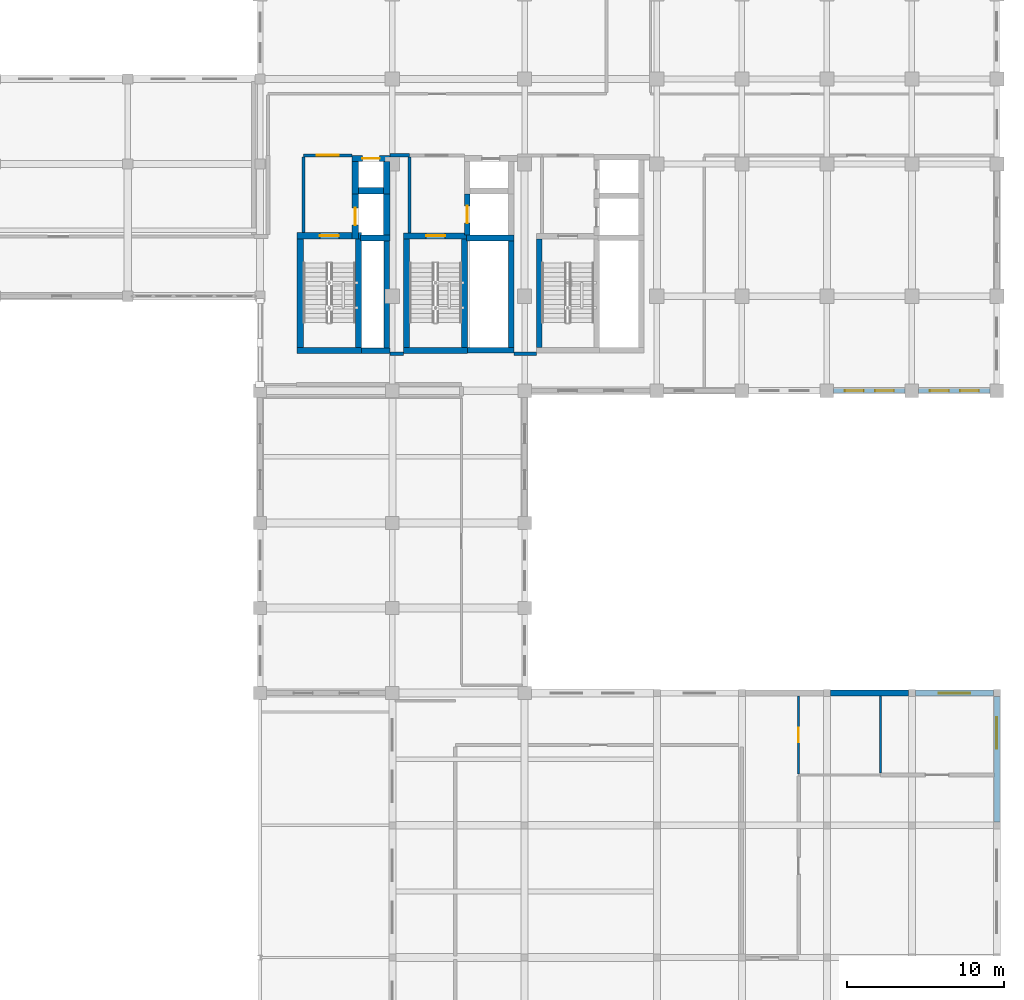
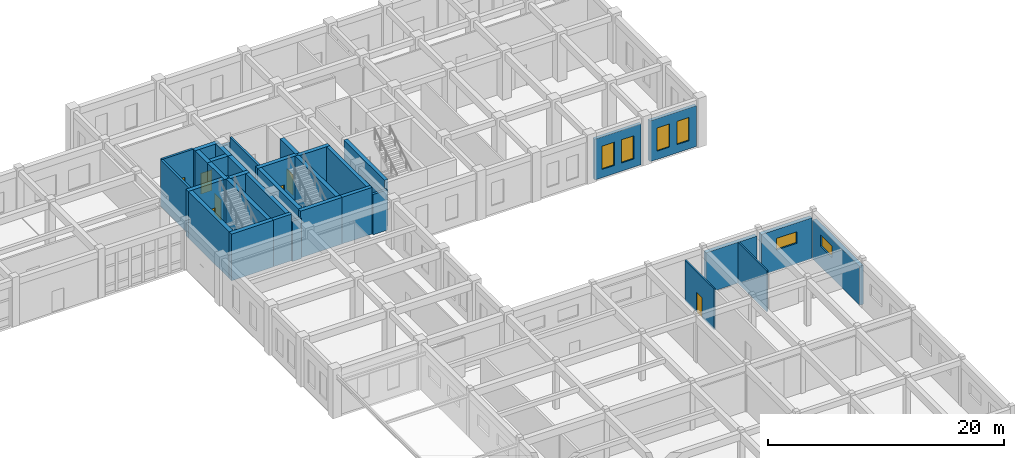
# One storey, part 68 of 80: 35 walls, 7 doors, 6 windows, 13 openings.
"""IFC4 building model written with IfcOpenShell, lengths in metres."""

from ifc_helpers import new_model, si_unit, direction, frame, frame_2d, origin, place, context, subcontext, project, spatial, rectangle, extrude, material, layer, layer_set, type_object, element, fill, save


model = new_model("IFC4")

# Units and contexts
model_context = context("Model", 3, precision=1e-05, world=origin(), true_north=direction((0.0, 1.0)))
body_context = subcontext(model_context, "Body", "Model", "MODEL_VIEW")
ifc_project = project(units=[si_unit("LENGTHUNIT", "METRE"), si_unit("AREAUNIT", "SQUARE_METRE"), si_unit("VOLUMEUNIT", "CUBIC_METRE"), si_unit("PLANEANGLEUNIT", "RADIAN"), si_unit("MASSUNIT", "GRAM", prefix="KILO")], contexts=[model_context])

# Site, building, storey
site_placement = place(None, origin())
site = spatial("IfcSite", under=ifc_project, at=site_placement, CompositionType="ELEMENT")
building_placement = place(site_placement, origin())
building = spatial("IfcBuilding", under=site, at=building_placement, Name="Krzemoval Escarpment Law Courts", CompositionType="ELEMENT")
storey_placement = place(building_placement, origin())
storey = spatial("IfcBuildingStorey", under=building, at=storey_placement, Name="L00", CompositionType="ELEMENT", Elevation=0.0)

# Wall, openings, windows
ifc_material_1 = material(Name="Precast concrete C40/50", Category="concrete")
ifc_layer_1 = layer(ifc_material_1, 0.300048828125)
ifc_layer_set_1 = layer_set([ifc_layer_1], Name="Precast concrete C40/50")
wall_type_1 = type_object("IfcWallType", Name="WL-EXT-300", PredefinedType="SOLIDWALL", material=ifc_layer_set_1)
wall_1_placement = place(storey_placement, frame((172.375, 93.60009765625, 0.0), z_axis=(0.0, 0.0, 1.0), x_axis=(-1.0, 0.0, 0.0)))
wall_1 = element("IfcWall", 1, at=wall_1_placement, inside=storey, type_object=wall_type_1, Name="Exterior Wall EW-L00-0101", PredefinedType="SOLIDWALL", context=body_context, shape_type="SweptSolid", body=[
    extrude(rectangle(XDim=4.550048828125, YDim=0.300048828125, at=frame_2d((2.27490234375, 0.0))), origin(), (0.0, 0.0, 1.0), 4.219970703125),
])
opening_1_placement = place(wall_1_placement, frame((0.717041015625, 0.0, 0.85009765625)))
opening_1 = element("IfcOpeningElement", 2, at=opening_1_placement, cuts=wall_1, Name="Opening WN-L00-0041", PredefinedType="OPENING", context=body_context, shape_type="SweptSolid", body=[
    extrude(rectangle(XDim=1.199951171875, YDim=2.39990234375, at=frame_2d((0.60009765625, 1.199951171875))), frame((0.0, 0.16502, 0.0), z_axis=(0.0, -1.0, 0.0), x_axis=(1.0, 0.0, 0.0)), (0.0, 0.0, 1.0), 0.33005),
])
opening_2_placement = place(wall_1_placement, frame((2.633056640625, 0.0, 0.85009765625)))
opening_2 = element("IfcOpeningElement", 3, at=opening_2_placement, cuts=wall_1, Name="Opening WN-L00-0042", PredefinedType="OPENING", context=body_context, shape_type="SweptSolid", body=[
    extrude(rectangle(XDim=1.199951171875, YDim=2.39990234375, at=frame_2d((0.60009765625, 1.199951171875))), frame((0.0, 0.16502, 0.0), z_axis=(0.0, -1.0, 0.0), x_axis=(1.0, 0.0, 0.0)), (0.0, 0.0, 1.0), 0.33005),
])
ifc_material_2 = material(Name="Thermally Broken Aluminium Frame with Triple Low-E Acoustic Glass", Category="aluminium")
window_type_1 = type_object("IfcWindowType", Name="WN-1200x2400", PartitioningType="SINGLE_PANEL", PredefinedType="WINDOW", material=ifc_material_2)
window_1_placement = place(opening_1_placement, origin())
window_1 = element("IfcWindow", 4, at=window_1_placement, inside=storey, type_object=window_type_1, Name="Facade Window WN-L00-0041", OverallHeight=2.39990234375, OverallWidth=1.199951171875, PartitioningType="SINGLE_PANEL", PredefinedType="WINDOW", context=body_context, shape_type="SweptSolid", body=[
    extrude(rectangle(XDim=1.199951171875, YDim=2.39990234375, at=frame_2d((0.60009765625, 1.199951171875))), frame((0.0, 0.030029296875, 0.0), z_axis=(0.0, -1.0, 0.0), x_axis=(1.0, 0.0, 0.0)), (0.0, 0.0, 1.0), 0.06005859375),
])
fill(opening_1, window_1)
window_2_placement = place(opening_2_placement, origin())
window_2 = element("IfcWindow", 5, at=window_2_placement, inside=storey, type_object=window_type_1, Name="Facade Window WN-L00-0042", OverallHeight=2.39990234375, OverallWidth=1.199951171875, PartitioningType="SINGLE_PANEL", PredefinedType="WINDOW", context=body_context, shape_type="SweptSolid", body=[
    extrude(rectangle(XDim=1.199951171875, YDim=2.39990234375, at=frame_2d((0.60009765625, 1.199951171875))), frame((0.0, 0.030029296875, 0.0), z_axis=(0.0, -1.0, 0.0), x_axis=(1.0, 0.0, 0.0)), (0.0, 0.0, 1.0), 0.06005859375),
])
fill(opening_2, window_2)

wall_2_placement = place(storey_placement, frame((166.97509765625, 93.60009765625, 0.0), z_axis=(0.0, 0.0, 1.0), x_axis=(-1.0, 0.0, 0.0)))
wall_2 = element("IfcWall", 6, at=wall_2_placement, inside=storey, type_object=wall_type_1, Name="Exterior Wall EW-L00-0102", PredefinedType="SOLIDWALL", context=body_context, shape_type="SweptSolid", body=[
    extrude(rectangle(XDim=4.550048828125, YDim=0.300048828125, at=frame_2d((2.27490234375, 0.0))), origin(), (0.0, 0.0, 1.0), 4.219970703125),
])
opening_3_placement = place(wall_2_placement, frame((0.717041015625, 0.0, 0.85009765625)))
opening_3 = element("IfcOpeningElement", 7, at=opening_3_placement, cuts=wall_2, Name="Opening WN-L00-0043", PredefinedType="OPENING", context=body_context, shape_type="SweptSolid", body=[
    extrude(rectangle(XDim=1.199951171875, YDim=2.39990234375, at=frame_2d((0.60009765625, 1.199951171875))), frame((0.0, 0.16502, 0.0), z_axis=(0.0, -1.0, 0.0), x_axis=(1.0, 0.0, 0.0)), (0.0, 0.0, 1.0), 0.33005),
])
opening_4_placement = place(wall_2_placement, frame((2.633056640625, 0.0, 0.85009765625)))
opening_4 = element("IfcOpeningElement", 8, at=opening_4_placement, cuts=wall_2, Name="Opening WN-L00-0044", PredefinedType="OPENING", context=body_context, shape_type="SweptSolid", body=[
    extrude(rectangle(XDim=1.199951171875, YDim=2.39990234375, at=frame_2d((0.60009765625, 1.199951171875))), frame((0.0, 0.16502, 0.0), z_axis=(0.0, -1.0, 0.0), x_axis=(1.0, 0.0, 0.0)), (0.0, 0.0, 1.0), 0.33005),
])
window_3_placement = place(opening_3_placement, origin())
window_3 = element("IfcWindow", 9, at=window_3_placement, inside=storey, type_object=window_type_1, Name="Facade Window WN-L00-0043", OverallHeight=2.39990234375, OverallWidth=1.199951171875, PartitioningType="SINGLE_PANEL", PredefinedType="WINDOW", context=body_context, shape_type="SweptSolid", body=[
    extrude(rectangle(XDim=1.199951171875, YDim=2.39990234375, at=frame_2d((0.60009765625, 1.199951171875))), frame((0.0, 0.030029296875, 0.0), z_axis=(0.0, -1.0, 0.0), x_axis=(1.0, 0.0, 0.0)), (0.0, 0.0, 1.0), 0.06005859375),
])
fill(opening_3, window_3)
window_4_placement = place(opening_4_placement, origin())
window_4 = element("IfcWindow", 10, at=window_4_placement, inside=storey, type_object=window_type_1, Name="Facade Window WN-L00-0044", OverallHeight=2.39990234375, OverallWidth=1.199951171875, PartitioningType="SINGLE_PANEL", PredefinedType="WINDOW", context=body_context, shape_type="SweptSolid", body=[
    extrude(rectangle(XDim=1.199951171875, YDim=2.39990234375, at=frame_2d((0.60009765625, 1.199951171875))), frame((0.0, 0.030029296875, 0.0), z_axis=(0.0, -1.0, 0.0), x_axis=(1.0, 0.0, 0.0)), (0.0, 0.0, 1.0), 0.06005859375),
])
fill(opening_4, window_4)

# Wall
ifc_material_3 = material(Name="Concrete C40/50", Category="concrete")
ifc_layer_2 = layer(ifc_material_3, 0.3798828125)
ifc_layer_set_2 = layer_set([ifc_layer_2], Name="Concrete C40/50")
wall_type_2 = type_object("IfcWallType", Name="WL-EXT-380", PredefinedType="SOLIDWALL", material=ifc_layer_set_2)
wall_3_placement = place(storey_placement, frame((162.22509765625, 74.39990234375, 0.0), z_axis=(0.0, 0.0, 1.0), x_axis=(1.0, 0.0, 0.0)))
element("IfcWall", 11, at=wall_3_placement, inside=storey, type_object=wall_type_2, Name="Exterior Wall EW-L00-0112", PredefinedType="SOLIDWALL", context=body_context, shape_type="SweptSolid", body=[
    extrude(rectangle(XDim=4.949951171875, YDim=0.3798828125, at=frame_2d((2.47509765625, 0.0))), origin(), (0.0, 0.0, 1.0), 4.219970703125),
])

# Wall, opening, window
wall_4_placement = place(storey_placement, frame((167.625, 74.39990234375, 0.0), z_axis=(0.0, 0.0, 1.0), x_axis=(1.0, 0.0, 0.0)))
wall_4 = element("IfcWall", 12, at=wall_4_placement, inside=storey, type_object=wall_type_2, Name="Exterior Wall EW-L00-0113", PredefinedType="SOLIDWALL", context=body_context, shape_type="SweptSolid", body=[
    extrude(rectangle(XDim=4.949951171875, YDim=0.3798828125, at=frame_2d((2.47509765625, 0.0))), origin(), (0.0, 0.0, 1.0), 4.219970703125),
])
opening_5_placement = place(wall_4_placement, frame((1.47509765625, 0.0, 2.10009765625)))
opening_5 = element("IfcOpeningElement", 13, at=opening_5_placement, cuts=wall_4, Name="Opening WN-L00-0059", PredefinedType="OPENING", context=body_context, shape_type="SweptSolid", body=[
    extrude(rectangle(XDim=2.0, YDim=1.199951171875, at=frame_2d((1.0, 0.60009765625))), frame((0.0, 0.20494, 0.0), z_axis=(0.0, -1.0, 0.0), x_axis=(1.0, 0.0, 0.0)), (0.0, 0.0, 1.0), 0.40988),
])
ifc_material_4 = material(Name="Thermally Broken Aluminium Frame with Triple Low-E Acoustic Glass", Category="aluminium")
window_type_2 = type_object("IfcWindowType", Name="WN-2000x1200", PartitioningType="SINGLE_PANEL", PredefinedType="WINDOW", material=ifc_material_4)
window_5_placement = place(opening_5_placement, origin())
window_5 = element("IfcWindow", 14, at=window_5_placement, inside=storey, type_object=window_type_2, Name="Facade Window WN-L00-0059", OverallHeight=1.199951171875, OverallWidth=2.0, PartitioningType="SINGLE_PANEL", PredefinedType="WINDOW", context=body_context, shape_type="SweptSolid", body=[
    extrude(rectangle(XDim=2.0, YDim=1.199951171875, at=frame_2d((1.0, 0.60009765625))), frame((0.0, 0.030029296875, 0.0), z_axis=(0.0, -1.0, 0.0), x_axis=(1.0, 0.0, 0.0)), (0.0, 0.0, 1.0), 0.06005859375),
])
fill(opening_5, window_5)

wall_5_placement = place(storey_placement, frame((172.800048828125, 74.175048828125, 0.0), z_axis=(0.0, 0.0, 1.0), x_axis=(0.0, -1.0, 0.0)))
wall_5 = element("IfcWall", 15, at=wall_5_placement, inside=storey, type_object=wall_type_2, Name="Exterior Wall EW-L00-0114", PredefinedType="SOLIDWALL", context=body_context, shape_type="SweptSolid", body=[
    extrude(rectangle(XDim=7.949951171875, YDim=0.3798828125, at=frame_2d((3.97509765625, 0.0))), origin(), (0.0, 0.0, 1.0), 4.02001953125),
])
opening_6_placement = place(wall_5_placement, frame((1.31689453125, 0.0, 2.10009765625)))
opening_6 = element("IfcOpeningElement", 16, at=opening_6_placement, cuts=wall_5, Name="Opening WN-L00-0060", PredefinedType="OPENING", context=body_context, shape_type="SweptSolid", body=[
    extrude(rectangle(XDim=2.0, YDim=1.199951171875, at=frame_2d((1.0, 0.60009765625))), frame((0.0, 0.20494, 0.0), z_axis=(0.0, -1.0, 0.0), x_axis=(1.0, 0.0, 0.0)), (0.0, 0.0, 1.0), 0.40988),
])
window_6_placement = place(opening_6_placement, origin())
window_6 = element("IfcWindow", 17, at=window_6_placement, inside=storey, type_object=window_type_2, Name="Facade Window WN-L00-0060", OverallHeight=1.199951171875, OverallWidth=2.0, PartitioningType="SINGLE_PANEL", PredefinedType="WINDOW", context=body_context, shape_type="SweptSolid", body=[
    extrude(rectangle(XDim=2.0, YDim=1.199951171875, at=frame_2d((1.0, 0.60009765625))), frame((0.0, 0.030029296875, 0.0), z_axis=(0.0, -1.0, 0.0), x_axis=(1.0, 0.0, 0.0)), (0.0, 0.0, 1.0), 0.06005859375),
])
fill(opening_6, window_6)

# Wall, opening, door
ifc_material_5 = material(Name="Sanitary Moisture-Resistant Partition", Category="gypsum")
ifc_layer_3 = layer(ifc_material_5, 0.139892578125)
ifc_layer_set_3 = layer_set([ifc_layer_3], Name="Sanitary Moisture-Resistant Partition")
wall_type_3 = type_object("IfcWallType", Name="WL-PRT-140", PredefinedType="PARTITIONING", material=ifc_layer_set_3)
wall_6_placement = place(storey_placement, frame((160.199951171875, 69.27197265625, 0.0), z_axis=(0.0, 0.0, 1.0), x_axis=(0.0, 1.0, 0.0)))
wall_6 = element("IfcWall", 18, at=wall_6_placement, inside=storey, type_object=wall_type_3, Name="Interior Partition PW-L00-0222", PredefinedType="PARTITIONING", context=body_context, shape_type="SweptSolid", body=[
    extrude(rectangle(XDim=4.93603515625, YDim=0.139892578125, at=frame_2d((2.468017578125, 0.0))), origin(), (0.0, 0.0, 1.0), 4.219970703125),
])
opening_7_placement = place(wall_6_placement, frame((2.01806640625, 0.0, 0.0)))
opening_7 = element("IfcOpeningElement", 19, at=opening_7_placement, cuts=wall_6, Name="Opening D-L00-0074", PredefinedType="OPENING", context=body_context, shape_type="SweptSolid", body=[
    extrude(rectangle(XDim=0.89990234375, YDim=2.10009765625, at=frame_2d((0.449951171875, 1.050048828125))), frame((0.0, 0.08495, 0.0), z_axis=(0.0, -1.0, 0.0), x_axis=(1.0, 0.0, 0.0)), (0.0, 0.0, 1.0), 0.16989),
])
ifc_material_6 = material(Name="Engineered Solid-Core Oak Acoustic Timber", Category="wood")
door_type_1 = type_object("IfcDoorType", Name="DR-INT-900x2100", OperationType="SINGLE_SWING_LEFT", PredefinedType="DOOR", material=ifc_material_6)
door_1_placement = place(opening_7_placement, origin())
door_1 = element("IfcDoor", 20, at=door_1_placement, inside=storey, type_object=door_type_1, Name="Room Door D-L00-0074", OperationType="SINGLE_SWING_LEFT", OverallHeight=2.10009765625, OverallWidth=0.89990234375, PredefinedType="DOOR", context=body_context, shape_type="SweptSolid", body=[
    extrude(rectangle(XDim=0.89990234375, YDim=2.10009765625, at=frame_2d((0.449951171875, 1.050048828125))), frame((0.0, 0.02490234375, 0.0), z_axis=(0.0, -1.0, 0.0), x_axis=(1.0, 0.0, 0.0)), (0.0, 0.0, 1.0), 0.050048828125),
])
fill(opening_7, door_1)

# Wall
wall_7_placement = place(storey_placement, frame((165.39990234375, 69.322021484375, 0.0), z_axis=(0.0, 0.0, 1.0), x_axis=(0.0, 1.0, 0.0)))
element("IfcWall", 21, at=wall_7_placement, inside=storey, type_object=wall_type_3, Name="Interior Partition PW-L00-0223", PredefinedType="PARTITIONING", context=body_context, shape_type="SweptSolid", body=[
    extrude(rectangle(XDim=4.885986328125, YDim=0.139892578125, at=frame_2d((2.44287109375, 0.0))), origin(), (0.0, 0.0, 1.0), 4.219970703125),
])

# Wall, opening, door
ifc_material_7 = material(Name="Fire-Rated Corridor Partition Wall", Category="gypsum")
ifc_layer_4 = layer(ifc_material_7, 0.199951171875)
ifc_layer_set_4 = layer_set([ifc_layer_4], Name="Fire-Rated Corridor Partition Wall")
wall_type_4 = type_object("IfcWallType", Name="WL-PRT-200", PredefinedType="PARTITIONING", material=ifc_layer_set_4)
wall_8_placement = place(storey_placement, frame((128.75, 108.550048828125, 0.0), z_axis=(0.0, 0.0, 1.0), x_axis=(1.0, 0.0, 0.0)))
wall_8 = element("IfcWall", 22, at=wall_8_placement, inside=storey, type_object=wall_type_4, Name="Interior Partition PW-L00-0146", PredefinedType="PARTITIONING", context=body_context, shape_type="SweptSolid", body=[
    extrude(rectangle(XDim=3.10009765625, YDim=0.199951171875, at=frame_2d((1.550048828125, 0.0))), origin(), (0.0, 0.0, 1.0), 4.820068359375),
])
opening_8_placement = place(wall_8_placement, frame((0.85009765625, 0.0, 0.0)))
opening_8 = element("IfcOpeningElement", 23, at=opening_8_placement, cuts=wall_8, Name="Opening D-L00-0035", PredefinedType="OPENING", context=body_context, shape_type="SweptSolid", body=[
    extrude(rectangle(XDim=1.39990234375, YDim=2.199951171875, at=frame_2d((0.699951171875, 1.10009765625))), frame((0.0, 0.11498, 0.0), z_axis=(0.0, -1.0, 0.0), x_axis=(1.0, 0.0, 0.0)), (0.0, 0.0, 1.0), 0.22995),
])
ifc_material_8 = material(Name="Galvanised Steel S355", Category="steel")
door_type_2 = type_object("IfcDoorType", Name="DR-FFL-1400x2200", OperationType="SINGLE_SWING_LEFT", PredefinedType="DOOR", material=ifc_material_8)
door_2_placement = place(opening_8_placement, origin())
door_2 = element("IfcDoor", 24, at=door_2_placement, inside=storey, type_object=door_type_2, Name="Room Door D-L00-0035", OperationType="SINGLE_SWING_LEFT", OverallHeight=2.199951171875, OverallWidth=1.39990234375, PredefinedType="DOOR", context=body_context, shape_type="SweptSolid", body=[
    extrude(rectangle(XDim=1.39990234375, YDim=2.199951171875, at=frame_2d((0.699951171875, 1.10009765625))), frame((0.0, 0.02490234375, 0.0), z_axis=(0.0, -1.0, 0.0), x_axis=(1.0, 0.0, 0.0)), (0.0, 0.0, 1.0), 0.050048828125),
])
fill(opening_8, door_2)

# Walls
wall_9_placement = place(storey_placement, frame((128.75, 103.652099609375, 0.0), z_axis=(0.0, 0.0, 1.0), x_axis=(0.0, 1.0, 0.0)))
element("IfcWall", 25, at=wall_9_placement, inside=storey, type_object=wall_type_4, Name="Interior Partition PW-L00-0207", PredefinedType="PARTITIONING", context=body_context, shape_type="SweptSolid", body=[
    extrude(rectangle(XDim=4.7958984375, YDim=0.199951171875, at=frame_2d((2.39794921875, 0.0))), origin(), (0.0, 0.0, 1.0), 4.820068359375),
])
wall_10_placement = place(storey_placement, frame((135.5, 103.632080078125, 0.0), z_axis=(0.0, 0.0, 1.0), x_axis=(0.0, 1.0, 0.0)))
element("IfcWall", 26, at=wall_10_placement, inside=storey, type_object=wall_type_4, Name="Interior Partition PW-L00-0209", PredefinedType="PARTITIONING", context=body_context, shape_type="SweptSolid", body=[
    extrude(rectangle(XDim=4.805908203125, YDim=0.199951171875, at=frame_2d((2.40283203125, 0.0))), origin(), (0.0, 0.0, 1.0), 4.820068359375),
])
ifc_material_9 = material(Name="Solid Calcium-Silicate Custody Blockwork Partition", Category="masonry")
ifc_layer_5 = layer(ifc_material_9, 0.219970703125)
ifc_layer_set_5 = layer_set([ifc_layer_5], Name="Solid Calcium-Silicate Custody Blockwork Partition")
wall_type_5 = type_object("IfcWallType", Name="WL-PRT-220", PredefinedType="PARTITIONING", material=ifc_layer_set_5)
wall_11_placement = place(storey_placement, frame((134.25, 108.550048828125, 0.0), z_axis=(0.0, 0.0, 1.0), x_axis=(1.0, 0.0, 0.0)))
element("IfcWall", 27, at=wall_11_placement, inside=storey, type_object=wall_type_5, Name="Interior Partition PW-L00-0149", PredefinedType="PARTITIONING", context=body_context, shape_type="SweptSolid", body=[
    extrude(rectangle(XDim=1.25, YDim=0.219970703125, at=frame_2d((0.625, 0.0))), origin(), (0.0, 0.0, 1.0), 4.169921875),
])
ifc_material_10 = material(Name="Acoustic Courtroom Partition Assembly", Category="gypsum")
ifc_layer_6 = layer(ifc_material_10, 0.239990234375)
ifc_layer_set_6 = layer_set([ifc_layer_6], Name="Acoustic Courtroom Partition Assembly")
wall_type_6 = type_object("IfcWallType", Name="WL-PRT-240", PredefinedType="PARTITIONING", material=ifc_layer_set_6)
wall_12_placement = place(storey_placement, frame((134.25, 95.949951171875, 0.0), z_axis=(0.0, 0.0, 1.0), x_axis=(1.0, 0.0, 0.0)))
element("IfcWall", 28, at=wall_12_placement, inside=storey, type_object=wall_type_6, Name="Interior Partition PW-L00-0138", PredefinedType="PARTITIONING", context=body_context, shape_type="SweptSolid", body=[
    extrude(rectangle(XDim=0.8701171875, YDim=0.239990234375, at=frame_2d((0.43505859375, 0.0))), origin(), (0.0, 0.0, 1.0), 4.169921875),
])
wall_13_placement = place(storey_placement, frame((142.1298828125, 95.949951171875, 0.0), z_axis=(0.0, 0.0, 1.0), x_axis=(1.0, 0.0, 0.0)))
element("IfcWall", 29, at=wall_13_placement, inside=storey, type_object=wall_type_6, Name="Interior Partition PW-L00-0139", PredefinedType="PARTITIONING", context=body_context, shape_type="SweptSolid", body=[
    extrude(rectangle(XDim=1.420166015625, YDim=0.239990234375, at=frame_2d((0.7099609375, 0.0))), origin(), (0.0, 0.0, 1.0), 4.169921875),
])
ifc_material_11 = material(Name="Concrete C40/50", Category="concrete")
ifc_layer_7 = layer(ifc_material_11, 0.35009765625)
ifc_layer_set_7 = layer_set([ifc_layer_7], Name="Concrete C40/50")
wall_type_7 = type_object("IfcWallType", Name="WL-SHW-350", PredefinedType="SHEAR", material=ifc_layer_set_7)
wall_14_placement = place(storey_placement, frame((132.449951171875, 96.14990234375, 0.0), z_axis=(0.0, 0.0, 1.0), x_axis=(1.0, 0.0, 0.0)))
element("IfcWall", 30, at=wall_14_placement, inside=storey, type_object=wall_type_7, Name="Riser Shaft Wall SW-L00-0025", PredefinedType="SHEAR", context=body_context, shape_type="SweptSolid", body=[
    extrude(rectangle(XDim=1.800048828125, YDim=0.35009765625, at=frame_2d((0.89990234375, 0.0))), origin(), (0.0, 0.0, 1.0), 4.820068359375),
])
wall_15_placement = place(storey_placement, frame((134.050048828125, 96.320068359375, 0.0), z_axis=(0.0, 0.0, 1.0), x_axis=(0.0, 1.0, 0.0)))
element("IfcWall", 31, at=wall_15_placement, inside=storey, type_object=wall_type_7, Name="Riser Shaft Wall SW-L00-0026", PredefinedType="SHEAR", context=body_context, shape_type="SweptSolid", body=[
    extrude(rectangle(XDim=7.18701171875, YDim=0.35009765625, at=frame_2d((3.593505859375, 0.0))), origin(), (0.0, 0.0, 1.0), 4.820068359375),
])
wall_16_placement = place(storey_placement, frame((139.179931640625, 96.159912109375, 0.0), z_axis=(0.0, 0.0, 1.0), x_axis=(1.0, 0.0, 0.0)))
element("IfcWall", 32, at=wall_16_placement, inside=storey, type_object=wall_type_7, Name="Riser Shaft Wall SW-L00-0175", PredefinedType="SHEAR", context=body_context, shape_type="SweptSolid", body=[
    extrude(rectangle(XDim=2.949951171875, YDim=0.35009765625, at=frame_2d((1.47509765625, 0.0))), origin(), (0.0, 0.0, 1.0), 4.820068359375),
])
wall_17_placement = place(storey_placement, frame((141.93994140625, 96.330078125, 0.0), z_axis=(0.0, 0.0, 1.0), x_axis=(0.0, 1.0, 0.0)))
element("IfcWall", 33, at=wall_17_placement, inside=storey, type_object=wall_type_7, Name="Riser Shaft Wall SW-L00-0176", PredefinedType="SHEAR", context=body_context, shape_type="SweptSolid", body=[
    extrude(rectangle(XDim=7.177001953125, YDim=0.35009765625, at=frame_2d((3.58837890625, 0.0))), origin(), (0.0, 0.0, 1.0), 4.820068359375),
])
wall_18_placement = place(storey_placement, frame((143.72509765625, 96.35205078125, 0.0), z_axis=(0.0, 0.0, 1.0), x_axis=(0.0, 1.0, 0.0)))
element("IfcWall", 34, at=wall_18_placement, inside=storey, type_object=wall_type_7, Name="Core Stair Shear Wall SW-L00-0316", PredefinedType="SHEAR", context=body_context, shape_type="SweptSolid", body=[
    extrude(rectangle(XDim=6.89599609375, YDim=0.35009765625, at=frame_2d((3.447998046875, 0.0))), origin(), (0.0, 0.0, 1.0), 4.820068359375),
])

# Wall, opening, door
ifc_material_12 = material(Name="Concrete C40/50", Category="concrete")
ifc_layer_8 = layer(ifc_material_12, 0.3798828125)
ifc_layer_set_8 = layer_set([ifc_layer_8], Name="Concrete C40/50")
wall_type_8 = type_object("IfcWallType", Name="WL-SHW-380", PredefinedType="SHEAR", material=ifc_layer_set_8)
wall_19_placement = place(storey_placement, frame((135.1201171875, 103.43994140625, 0.0), z_axis=(0.0, 0.0, 1.0), x_axis=(1.0, 0.0, 0.0)))
wall_19 = element("IfcWall", 35, at=wall_19_placement, inside=storey, type_object=wall_type_8, Name="Core Stair Shear Wall SW-L00-0164", PredefinedType="SHEAR", context=body_context, shape_type="SweptSolid", body=[
    extrude(rectangle(XDim=4.059814453125, YDim=0.3798828125, at=frame_2d((2.02978515625, 0.0))), origin(), (0.0, 0.0, 1.0), 4.820068359375),
])
opening_9_placement = place(wall_19_placement, frame((1.429931640625, 0.0, 0.0)))
opening_9 = element("IfcOpeningElement", 36, at=opening_9_placement, cuts=wall_19, Name="Opening SD-ST2-L00", PredefinedType="OPENING", context=body_context, shape_type="SweptSolid", body=[
    extrude(rectangle(XDim=1.199951171875, YDim=2.199951171875, at=frame_2d((0.60009765625, 1.10009765625))), frame((0.0, 0.20494, 0.0), z_axis=(0.0, -1.0, 0.0), x_axis=(1.0, 0.0, 0.0)), (0.0, 0.0, 1.0), 0.40988),
])
ifc_material_13 = material(Name="Galvanised Steel S355", Category="steel")
door_type_3 = type_object("IfcDoorType", Name="DR-STR-1200x2200", OperationType="SINGLE_SWING_LEFT", PredefinedType="DOOR", material=ifc_material_13)
door_3_placement = place(opening_9_placement, origin())
door_3 = element("IfcDoor", 37, at=door_3_placement, inside=storey, type_object=door_type_3, Name="Stair Exit Door SD-ST2-L00", OperationType="SINGLE_SWING_RIGHT", OverallHeight=2.199951171875, OverallWidth=1.199951171875, PredefinedType="DOOR", context=body_context, shape_type="SweptSolid", body=[
    extrude(rectangle(XDim=1.199951171875, YDim=2.199951171875, at=frame_2d((0.60009765625, 1.10009765625))), frame((0.0, 0.02490234375, 0.0), z_axis=(0.0, -1.0, 0.0), x_axis=(1.0, 0.0, 0.0)), (0.0, 0.0, 1.0), 0.050048828125),
])
fill(opening_9, door_3)

# Walls
wall_20_placement = place(storey_placement, frame((135.1201171875, 96.159912109375, 0.0), z_axis=(0.0, 0.0, 1.0), x_axis=(1.0, 0.0, 0.0)))
element("IfcWall", 38, at=wall_20_placement, inside=storey, type_object=wall_type_8, Name="Core Stair Shear Wall SW-L00-0165", PredefinedType="SHEAR", context=body_context, shape_type="SweptSolid", body=[
    extrude(rectangle(XDim=4.059814453125, YDim=0.3798828125, at=frame_2d((2.02978515625, 0.0))), origin(), (0.0, 0.0, 1.0), 4.820068359375),
])
for number, where, z_axis, x_axis, name in (
    (39, (135.31005859375, 96.35205078125, 0.0), (0.0, 0.0, 1.0), (0.0, 1.0, 0.0), "Core Stair Shear Wall SW-L00-0166"),
    (40, (138.989990234375, 96.35205078125, 0.0), (0.0, 0.0, 1.0), (0.0, 1.0, 0.0), "Core Stair Shear Wall SW-L00-0167"),
):
    element("IfcWall", number, at=place(storey_placement, frame(where, z_axis=z_axis, x_axis=x_axis)), inside=storey, type_object=wall_type_8, Name=name, PredefinedType="SHEAR", context=body_context, shape_type="SweptSolid", body=[
        extrude(rectangle(XDim=6.89599609375, YDim=0.3798828125, at=frame_2d((3.447998046875, 0.0))), origin(), (0.0, 0.0, 1.0), 4.820068359375),
    ])
wall_21_placement = place(storey_placement, frame((139.113037109375, 103.31005859375, 0.0), z_axis=(0.0, 0.0, 1.0), x_axis=(1.0, 0.0, 0.0)))
element("IfcWall", 41, at=wall_21_placement, inside=storey, type_object=wall_type_8, Name="Lift Shaft Shear Wall SW-L00-0168", PredefinedType="SHEAR", context=body_context, shape_type="SweptSolid", body=[
    extrude(rectangle(XDim=3.016845703125, YDim=0.3798828125, at=frame_2d((1.50830078125, 0.0))), origin(), (0.0, 0.0, 1.0), 4.820068359375),
])

# Wall, opening, door
wall_22_placement = place(storey_placement, frame((139.159912109375, 103.4951171875, 0.0), z_axis=(0.0, 0.0, 1.0), x_axis=(0.0, 1.0, 0.0)))
wall_22 = element("IfcWall", 42, at=wall_22_placement, inside=storey, type_object=wall_type_8, Name="Lift Shaft Shear Wall SW-L00-0170", PredefinedType="SHEAR", context=body_context, shape_type="SweptSolid", body=[
    extrude(rectangle(XDim=2.602783203125, YDim=0.3798828125, at=frame_2d((1.30126953125, 0.0))), origin(), (0.0, 0.0, 1.0), 4.820068359375),
])
opening_10_placement = place(wall_22_placement, frame((0.7509765625, 0.0, 0.0)))
opening_10 = element("IfcOpeningElement", 43, at=opening_10_placement, cuts=wall_22, Name="Opening LD-FL2-L00", PredefinedType="OPENING", context=body_context, shape_type="SweptSolid", body=[
    extrude(rectangle(XDim=1.10009765625, YDim=2.14990234375, at=frame_2d((0.550048828125, 1.074951171875))), frame((0.0, 0.20494, 0.0), z_axis=(0.0, -1.0, 0.0), x_axis=(1.0, 0.0, 0.0)), (0.0, 0.0, 1.0), 0.40988),
])
ifc_material_14 = material(Name="Stainless Steel Grade 304", Category="steel")
door_type_4 = type_object("IfcDoorType", Name="DR-LFT-1100x2150", OperationType="SINGLE_SWING_LEFT", PredefinedType="DOOR", material=ifc_material_14)
door_4_placement = place(opening_10_placement, origin())
door_4 = element("IfcDoor", 44, at=door_4_placement, inside=storey, type_object=door_type_4, Name="Lift Landing Door LD-FL2-L00", OperationType="DOUBLE_DOOR_SLIDING", OverallHeight=2.14990234375, OverallWidth=1.10009765625, PredefinedType="DOOR", context=body_context, shape_type="SweptSolid", body=[
    extrude(rectangle(XDim=1.10009765625, YDim=2.14990234375, at=frame_2d((0.550048828125, 1.074951171875))), frame((0.0, 0.02490234375, 0.0), z_axis=(0.0, -1.0, 0.0), x_axis=(1.0, 0.0, 0.0)), (0.0, 0.0, 1.0), 0.050048828125),
])
fill(opening_10, door_4)

ifc_material_15 = material(Name="Concrete C40/50", Category="concrete")
ifc_layer_9 = layer(ifc_material_15, 0.39990234375)
ifc_layer_set_9 = layer_set([ifc_layer_9], Name="Concrete C40/50")
wall_type_9 = type_object("IfcWallType", Name="WL-SHW-400", PredefinedType="SHEAR", material=ifc_layer_set_9)
wall_23_placement = place(storey_placement, frame((128.35009765625, 103.449951171875, 0.0), z_axis=(0.0, 0.0, 1.0), x_axis=(1.0, 0.0, 0.0)))
wall_23 = element("IfcWall", 45, at=wall_23_placement, inside=storey, type_object=wall_type_9, Name="Core Stair Shear Wall SW-L00-0014", PredefinedType="SHEAR", context=body_context, shape_type="SweptSolid", body=[
    extrude(rectangle(XDim=4.099853515625, YDim=0.39990234375, at=frame_2d((2.0498046875, 0.0))), origin(), (0.0, 0.0, 1.0), 4.820068359375),
])
opening_11_placement = place(wall_23_placement, frame((1.449951171875, 0.0, 0.0)))
opening_11 = element("IfcOpeningElement", 46, at=opening_11_placement, cuts=wall_23, Name="Opening SD-ST1-L00", PredefinedType="OPENING", context=body_context, shape_type="SweptSolid", body=[
    extrude(rectangle(XDim=1.199951171875, YDim=2.199951171875, at=frame_2d((0.60009765625, 1.10009765625))), frame((0.0, 0.21495, 0.0), z_axis=(0.0, -1.0, 0.0), x_axis=(1.0, 0.0, 0.0)), (0.0, 0.0, 1.0), 0.4299),
])
door_5_placement = place(opening_11_placement, origin())
door_5 = element("IfcDoor", 47, at=door_5_placement, inside=storey, type_object=door_type_3, Name="Stair Exit Door SD-ST1-L00", OperationType="SINGLE_SWING_LEFT", OverallHeight=2.199951171875, OverallWidth=1.199951171875, PredefinedType="DOOR", context=body_context, shape_type="SweptSolid", body=[
    extrude(rectangle(XDim=1.199951171875, YDim=2.199951171875, at=frame_2d((0.60009765625, 1.10009765625))), frame((0.0, 0.02490234375, 0.0), z_axis=(0.0, -1.0, 0.0), x_axis=(1.0, 0.0, 0.0)), (0.0, 0.0, 1.0), 0.050048828125),
])
fill(opening_11, door_5)

# Walls
wall_24_placement = place(storey_placement, frame((128.35009765625, 96.14990234375, 0.0), z_axis=(0.0, 0.0, 1.0), x_axis=(1.0, 0.0, 0.0)))
element("IfcWall", 48, at=wall_24_placement, inside=storey, type_object=wall_type_9, Name="Core Stair Shear Wall SW-L00-0015", PredefinedType="SHEAR", context=body_context, shape_type="SweptSolid", body=[
    extrude(rectangle(XDim=4.099853515625, YDim=0.39990234375, at=frame_2d((2.0498046875, 0.0))), origin(), (0.0, 0.0, 1.0), 4.820068359375),
])
for number, where, z_axis, x_axis, name in (
    (49, (128.550048828125, 96.35205078125, 0.0), (0.0, 0.0, 1.0), (0.0, 1.0, 0.0), "Core Stair Shear Wall SW-L00-0016"),
    (50, (132.25, 96.35205078125, 0.0), (0.0, 0.0, 1.0), (0.0, 1.0, 0.0), "Core Stair Shear Wall SW-L00-0017"),
):
    element("IfcWall", number, at=place(storey_placement, frame(where, z_axis=z_axis, x_axis=x_axis)), inside=storey, type_object=wall_type_9, Name=name, PredefinedType="SHEAR", context=body_context, shape_type="SweptSolid", body=[
        extrude(rectangle(XDim=6.89599609375, YDim=0.39990234375, at=frame_2d((3.447998046875, 0.0))), origin(), (0.0, 0.0, 1.0), 4.820068359375),
    ])
wall_25_placement = place(storey_placement, frame((132.39306640625, 103.300048828125, 0.0), z_axis=(0.0, 0.0, 1.0), x_axis=(1.0, 0.0, 0.0)))
element("IfcWall", 51, at=wall_25_placement, inside=storey, type_object=wall_type_9, Name="Lift Shaft Shear Wall SW-L00-0018", PredefinedType="SHEAR", context=body_context, shape_type="SweptSolid", body=[
    extrude(rectangle(XDim=1.85693359375, YDim=0.39990234375, at=frame_2d((0.928466796875, 0.0))), origin(), (0.0, 0.0, 1.0), 4.820068359375),
])
wall_26_placement = place(storey_placement, frame((131.85009765625, 106.300048828125, 0.0), z_axis=(0.0, 0.0, 1.0), x_axis=(1.0, 0.0, 0.0)))
element("IfcWall", 52, at=wall_26_placement, inside=storey, type_object=wall_type_9, Name="Lift Shaft Shear Wall SW-L00-0019", PredefinedType="SHEAR", context=body_context, shape_type="SweptSolid", body=[
    extrude(rectangle(XDim=2.39990234375, YDim=0.39990234375, at=frame_2d((1.199951171875, 0.0))), origin(), (0.0, 0.0, 1.0), 4.820068359375),
])

# Wall, opening, door
wall_27_placement = place(storey_placement, frame((132.050048828125, 103.242919921875, 0.0), z_axis=(0.0, 0.0, 1.0), x_axis=(0.0, 1.0, 0.0)))
wall_27 = element("IfcWall", 53, at=wall_27_placement, inside=storey, type_object=wall_type_9, Name="Lift Shaft Shear Wall SW-L00-0020", PredefinedType="SHEAR", context=body_context, shape_type="SweptSolid", body=[
    extrude(rectangle(XDim=2.85498046875, YDim=0.39990234375, at=frame_2d((1.427490234375, 0.0))), origin(), (0.0, 0.0, 1.0), 4.820068359375),
])
opening_12_placement = place(wall_27_placement, frame((0.8779296875, 0.0, 0.0)))
opening_12 = element("IfcOpeningElement", 54, at=opening_12_placement, cuts=wall_27, Name="Opening LD-FL1-L00", PredefinedType="OPENING", context=body_context, shape_type="SweptSolid", body=[
    extrude(rectangle(XDim=1.10009765625, YDim=2.14990234375, at=frame_2d((0.550048828125, 1.074951171875))), frame((0.0, 0.21495, 0.0), z_axis=(0.0, -1.0, 0.0), x_axis=(1.0, 0.0, 0.0)), (0.0, 0.0, 1.0), 0.4299),
])
door_6_placement = place(opening_12_placement, origin())
door_6 = element("IfcDoor", 55, at=door_6_placement, inside=storey, type_object=door_type_4, Name="Lift Landing Door LD-FL1-L00", OperationType="DOUBLE_DOOR_SLIDING", OverallHeight=2.14990234375, OverallWidth=1.10009765625, PredefinedType="DOOR", context=body_context, shape_type="SweptSolid", body=[
    extrude(rectangle(XDim=1.10009765625, YDim=2.14990234375, at=frame_2d((0.550048828125, 1.074951171875))), frame((0.0, 0.02490234375, 0.0), z_axis=(0.0, -1.0, 0.0), x_axis=(1.0, 0.0, 0.0)), (0.0, 0.0, 1.0), 0.050048828125),
])
fill(opening_12, door_6)

# Wall
wall_28_placement = place(storey_placement, frame((134.050048828125, 103.501953125, 0.0), z_axis=(0.0, 0.0, 1.0), x_axis=(0.0, 1.0, 0.0)))
element("IfcWall", 56, at=wall_28_placement, inside=storey, type_object=wall_type_9, Name="Lift Shaft Shear Wall SW-L00-0021", PredefinedType="SHEAR", context=body_context, shape_type="SweptSolid", body=[
    extrude(rectangle(XDim=2.595947265625, YDim=0.39990234375, at=frame_2d((1.2978515625, 0.0))), origin(), (0.0, 0.0, 1.0), 4.820068359375),
])

# Wall, opening, door
wall_29_placement = place(storey_placement, frame((131.85009765625, 108.35009765625, 0.0), z_axis=(0.0, 0.0, 1.0), x_axis=(1.0, 0.0, 0.0)))
wall_29 = element("IfcWall", 57, at=wall_29_placement, inside=storey, type_object=wall_type_9, Name="Lift Shaft Shear Wall SW-L00-0022", PredefinedType="SHEAR", context=body_context, shape_type="SweptSolid", body=[
    extrude(rectangle(XDim=2.39990234375, YDim=0.39990234375, at=frame_2d((1.199951171875, 0.0))), origin(), (0.0, 0.0, 1.0), 4.820068359375),
])
opening_13_placement = place(wall_29_placement, frame((0.64990234375, 0.0, 0.0)))
opening_13 = element("IfcOpeningElement", 58, at=opening_13_placement, cuts=wall_29, Name="Opening LD-JL1-L00", PredefinedType="OPENING", context=body_context, shape_type="SweptSolid", body=[
    extrude(rectangle(XDim=1.10009765625, YDim=2.14990234375, at=frame_2d((0.550048828125, 1.074951171875))), frame((0.0, 0.21495, 0.0), z_axis=(0.0, -1.0, 0.0), x_axis=(1.0, 0.0, 0.0)), (0.0, 0.0, 1.0), 0.4299),
])
door_7_placement = place(opening_13_placement, origin())
door_7 = element("IfcDoor", 59, at=door_7_placement, inside=storey, type_object=door_type_4, Name="Lift Landing Door LD-JL1-L00", OperationType="DOUBLE_DOOR_SLIDING", OverallHeight=2.14990234375, OverallWidth=1.10009765625, PredefinedType="DOOR", context=body_context, shape_type="SweptSolid", body=[
    extrude(rectangle(XDim=1.10009765625, YDim=2.14990234375, at=frame_2d((0.550048828125, 1.074951171875))), frame((0.0, 0.02490234375, 0.0), z_axis=(0.0, -1.0, 0.0), x_axis=(1.0, 0.0, 0.0)), (0.0, 0.0, 1.0), 0.050048828125),
])
fill(opening_13, door_7)

# Walls
for number, where, z_axis, x_axis, name in (
    (60, (132.050048828125, 106.093017578125, 0.0), (0.0, 0.0, 1.0), (0.0, 1.0, 0.0), "Lift Shaft Shear Wall SW-L00-0023"),
    (61, (134.050048828125, 106.093017578125, 0.0), (0.0, 0.0, 1.0), (0.0, 1.0, 0.0), "Lift Shaft Shear Wall SW-L00-0024"),
):
    element("IfcWall", number, at=place(storey_placement, frame(where, z_axis=z_axis, x_axis=x_axis)), inside=storey, type_object=wall_type_9, Name=name, PredefinedType="SHEAR", context=body_context, shape_type="SweptSolid", body=[
        extrude(rectangle(XDim=2.054931640625, YDim=0.39990234375, at=frame_2d((1.02734375, 0.0))), origin(), (0.0, 0.0, 1.0), 4.820068359375),
    ])

save(model, "model.ifc")
